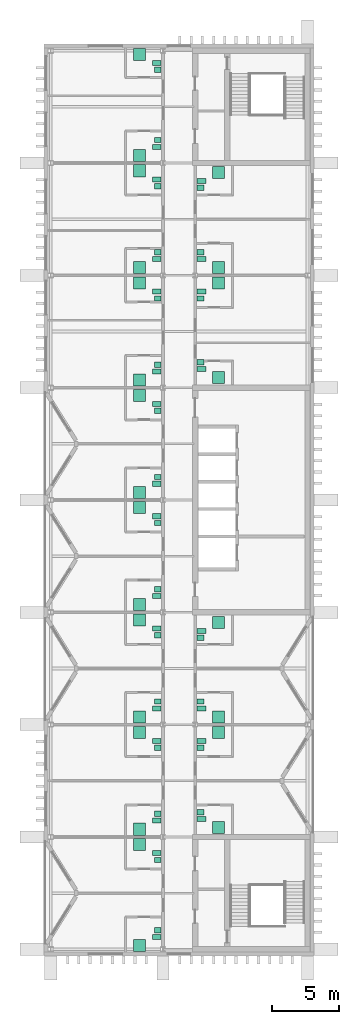
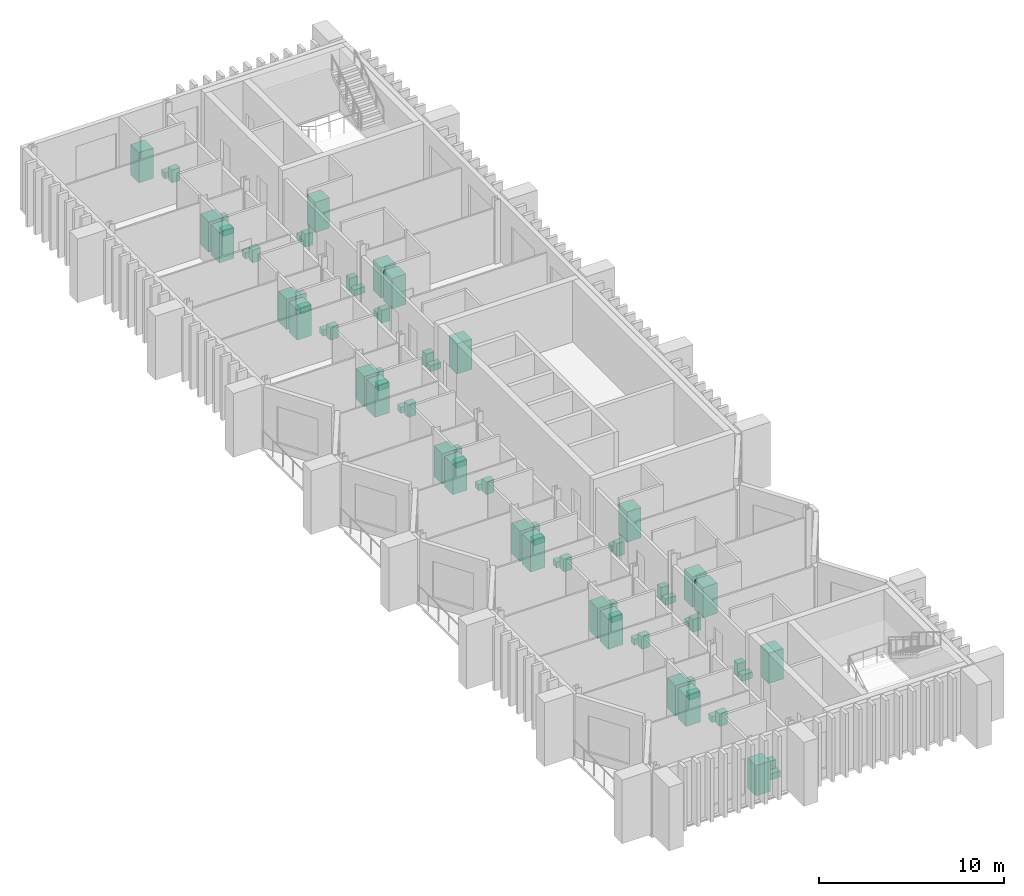
# One storey, part 11 of 11: 72 sanitary terminals.
"""IFC4 building model written with IfcOpenShell, lengths in metres."""

from ifc_helpers import new_model, si_unit, direction, frame, origin, origin_2d, place, context, subcontext, project, spatial, rectangle, extrude, material, type_object, element, save


model = new_model("IFC4")

# Units and contexts
model_context = context("Model", 3, precision=1e-05, world=origin(), true_north=direction((0.0, 1.0)))
body_context = subcontext(model_context, "Body", "Model", "MODEL_VIEW")
ifc_project = project(units=[si_unit("LENGTHUNIT", "METRE"), si_unit("AREAUNIT", "SQUARE_METRE"), si_unit("VOLUMEUNIT", "CUBIC_METRE"), si_unit("PLANEANGLEUNIT", "RADIAN"), si_unit("MASSUNIT", "GRAM", prefix="KILO")], contexts=[model_context])

# Site, building, storey
site_placement = place(None, origin())
site = spatial("IfcSite", under=ifc_project, at=site_placement, CompositionType="ELEMENT")
building_placement = place(site_placement, origin())
building = spatial("IfcBuilding", under=site, at=building_placement, Name="Cresset Court Congress Hotel", CompositionType="ELEMENT")
storey_placement = place(building_placement, frame((0.0, 0.0, 48.0)))
storey = spatial("IfcBuildingStorey", under=building, at=storey_placement, Name="L11", CompositionType="ELEMENT", Elevation=48.0)

# Sanitary terminals
ifc_material_1 = material(Name="Acrylic")
sanitary_terminal_type_1 = type_object("IfcSanitaryTerminalType", Name="Shower enclosure 900x900", PredefinedType="SHOWER", material=ifc_material_1)
for number, where, z_axis, x_axis, name in (
    (1, (163.85009765625, 0.280029296875, 0.0), (0.0, 0.0, 1.0), (1.0, 0.0, 0.0), "Shower enclosure 900x900 1101"),
    (2, (163.85009765625, 7.824951171875, 0.0), (0.0, 0.0, 1.0), (1.0, 0.0, 0.0), "Shower enclosure 900x900 1102"),
    (3, (163.85009765625, 8.97509765625, 0.0), (0.0, 0.0, 1.0), (1.0, 0.0, 0.0), "Shower enclosure 900x900 1103"),
    (4, (163.85009765625, 16.22509765625, 0.0), (0.0, 0.0, 1.0), (1.0, 0.0, 0.0), "Shower enclosure 900x900 1104"),
    (5, (163.85009765625, 17.375, 0.0), (0.0, 0.0, 1.0), (1.0, 0.0, 0.0), "Shower enclosure 900x900 1105"),
    (6, (163.85009765625, 24.625, 0.0), (0.0, 0.0, 1.0), (1.0, 0.0, 0.0), "Shower enclosure 900x900 1106"),
    (7, (163.85009765625, 25.77490234375, 0.0), (0.0, 0.0, 1.0), (1.0, 0.0, 0.0), "Shower enclosure 900x900 1107"),
    (8, (163.85009765625, 33.02490234375, 0.0), (0.0, 0.0, 1.0), (1.0, 0.0, 0.0), "Shower enclosure 900x900 1108"),
    (9, (163.85009765625, 34.175048828125, 0.0), (0.0, 0.0, 1.0), (1.0, 0.0, 0.0), "Shower enclosure 900x900 1109"),
    (10, (163.85009765625, 41.425048828125, 0.0), (0.0, 0.0, 1.0), (1.0, 0.0, 0.0), "Shower enclosure 900x900 1110"),
    (11, (163.85009765625, 42.574951171875, 0.0), (0.0, 0.0, 1.0), (1.0, 0.0, 0.0), "Shower enclosure 900x900 1111"),
    (12, (163.85009765625, 49.824951171875, 0.0), (0.0, 0.0, 1.0), (1.0, 0.0, 0.0), "Shower enclosure 900x900 1112"),
    (13, (163.85009765625, 50.97509765625, 0.0), (0.0, 0.0, 1.0), (1.0, 0.0, 0.0), "Shower enclosure 900x900 1113"),
    (14, (163.85009765625, 58.22509765625, 0.0), (0.0, 0.0, 1.0), (1.0, 0.0, 0.0), "Shower enclosure 900x900 1114"),
    (15, (163.85009765625, 59.375, 0.0), (0.0, 0.0, 1.0), (1.0, 0.0, 0.0), "Shower enclosure 900x900 1115"),
    (16, (163.85009765625, 66.919921875, 0.0), (0.0, 0.0, 1.0), (1.0, 0.0, 0.0), "Shower enclosure 900x900 1116"),
    (17, (169.75, 9.10009765625, 0.0), (0.0, 0.0, 1.0), (1.0, 0.0, 0.0), "Shower enclosure 900x900 1117"),
    (18, (169.75, 16.22509765625, 0.0), (0.0, 0.0, 1.0), (1.0, 0.0, 0.0), "Shower enclosure 900x900 1118"),
    (19, (169.75, 17.375, 0.0), (0.0, 0.0, 1.0), (1.0, 0.0, 0.0), "Shower enclosure 900x900 1119"),
    (20, (169.75, 24.449951171875, 0.0), (0.0, 0.0, 1.0), (1.0, 0.0, 0.0), "Shower enclosure 900x900 1120"),
    (21, (169.75, 42.75, 0.0), (0.0, 0.0, 1.0), (1.0, 0.0, 0.0), "Shower enclosure 900x900 1121"),
    (22, (169.75, 49.824951171875, 0.0), (0.0, 0.0, 1.0), (1.0, 0.0, 0.0), "Shower enclosure 900x900 1122"),
    (23, (169.75, 50.97509765625, 0.0), (0.0, 0.0, 1.0), (1.0, 0.0, 0.0), "Shower enclosure 900x900 1123"),
    (24, (169.75, 58.10009765625, 0.0), (0.0, 0.0, 1.0), (1.0, 0.0, 0.0), "Shower enclosure 900x900 1124"),
):
    element("IfcSanitaryTerminal", number, at=place(storey_placement, frame(where, z_axis=z_axis, x_axis=x_axis)), inside=storey, type_object=sanitary_terminal_type_1, Name=name, PredefinedType="SHOWER", context=body_context, shape_type="SweptSolid", body=[
        extrude(rectangle(XDim=0.89990234375, YDim=0.89990234375, at=origin_2d()), origin(), (0.0, 0.0, 1.0), 2.0),
    ])
ifc_material_2 = material(Name="Vitreous china")
sanitary_terminal_type_2 = type_object("IfcSanitaryTerminalType", Name="Toilet pan 650x380", PredefinedType="TOILETPAN", material=ifc_material_2)
for number, where, z_axis, x_axis, name in (
    (25, (165.125, 0.919921875, 0.0), (0.0, 0.0, 1.0), (1.0, 0.0, 0.0), "Toilet pan 650x380 1101"),
    (26, (165.125, 7.18505859375, 0.0), (0.0, 0.0, 1.0), (1.0, 0.0, 0.0), "Toilet pan 650x380 1102"),
    (27, (165.125, 9.614990234375, 0.0), (0.0, 0.0, 1.0), (1.0, 0.0, 0.0), "Toilet pan 650x380 1103"),
    (28, (165.125, 15.5849609375, 0.0), (0.0, 0.0, 1.0), (1.0, 0.0, 0.0), "Toilet pan 650x380 1104"),
    (29, (165.125, 18.014892578125, 0.0), (0.0, 0.0, 1.0), (1.0, 0.0, 0.0), "Toilet pan 650x380 1105"),
    (30, (165.125, 23.985107421875, 0.0), (0.0, 0.0, 1.0), (1.0, 0.0, 0.0), "Toilet pan 650x380 1106"),
    (31, (165.125, 26.4150390625, 0.0), (0.0, 0.0, 1.0), (1.0, 0.0, 0.0), "Toilet pan 650x380 1107"),
    (32, (165.125, 32.385009765625, 0.0), (0.0, 0.0, 1.0), (1.0, 0.0, 0.0), "Toilet pan 650x380 1108"),
    (33, (165.125, 34.81494140625, 0.0), (0.0, 0.0, 1.0), (1.0, 0.0, 0.0), "Toilet pan 650x380 1109"),
    (34, (165.125, 40.784912109375, 0.0), (0.0, 0.0, 1.0), (1.0, 0.0, 0.0), "Toilet pan 650x380 1110"),
    (35, (165.125, 43.215087890625, 0.0), (0.0, 0.0, 1.0), (1.0, 0.0, 0.0), "Toilet pan 650x380 1111"),
    (36, (165.125, 49.18505859375, 0.0), (0.0, 0.0, 1.0), (1.0, 0.0, 0.0), "Toilet pan 650x380 1112"),
    (37, (165.125, 51.614990234375, 0.0), (0.0, 0.0, 1.0), (1.0, 0.0, 0.0), "Toilet pan 650x380 1113"),
    (38, (165.125, 57.5849609375, 0.0), (0.0, 0.0, 1.0), (1.0, 0.0, 0.0), "Toilet pan 650x380 1114"),
    (39, (165.125, 60.014892578125, 0.0), (0.0, 0.0, 1.0), (1.0, 0.0, 0.0), "Toilet pan 650x380 1115"),
    (40, (165.125, 66.280029296875, 0.0), (0.0, 0.0, 1.0), (1.0, 0.0, 0.0), "Toilet pan 650x380 1116"),
    (41, (168.47509765625, 9.739990234375, 0.0), (0.0, 0.0, 1.0), (1.0, 0.0, 0.0), "Toilet pan 650x380 1117"),
    (42, (168.47509765625, 15.5849609375, 0.0), (0.0, 0.0, 1.0), (1.0, 0.0, 0.0), "Toilet pan 650x380 1118"),
    (43, (168.47509765625, 18.014892578125, 0.0), (0.0, 0.0, 1.0), (1.0, 0.0, 0.0), "Toilet pan 650x380 1119"),
    (44, (168.47509765625, 23.81005859375, 0.0), (0.0, 0.0, 1.0), (1.0, 0.0, 0.0), "Toilet pan 650x380 1120"),
    (45, (168.47509765625, 43.389892578125, 0.0), (0.0, 0.0, 1.0), (1.0, 0.0, 0.0), "Toilet pan 650x380 1121"),
    (46, (168.47509765625, 49.18505859375, 0.0), (0.0, 0.0, 1.0), (1.0, 0.0, 0.0), "Toilet pan 650x380 1122"),
    (47, (168.47509765625, 51.614990234375, 0.0), (0.0, 0.0, 1.0), (1.0, 0.0, 0.0), "Toilet pan 650x380 1123"),
    (48, (168.47509765625, 57.4599609375, 0.0), (0.0, 0.0, 1.0), (1.0, 0.0, 0.0), "Toilet pan 650x380 1124"),
):
    element("IfcSanitaryTerminal", number, at=place(storey_placement, frame(where, z_axis=z_axis, x_axis=x_axis)), inside=storey, type_object=sanitary_terminal_type_2, Name=name, PredefinedType="TOILETPAN", context=body_context, shape_type="SweptSolid", body=[
        extrude(rectangle(XDim=0.64990234375, YDim=0.3798828125, at=origin_2d()), origin(), (0.0, 0.0, 1.0), 0.39990234375),
    ])
ifc_material_3 = material(Name="Vitreous china")
sanitary_terminal_type_3 = type_object("IfcSanitaryTerminalType", Name="Wash basin 500x400", PredefinedType="WASHHANDBASIN", material=ifc_material_3)
for number, where, z_axis, x_axis, name in (
    (49, (165.199951171875, 1.429931640625, 0.0), (0.0, 0.0, 1.0), (1.0, 0.0, 0.0), "Wash basin 500x400 1101"),
    (50, (165.199951171875, 6.675048828125, 0.0), (0.0, 0.0, 1.0), (1.0, 0.0, 0.0), "Wash basin 500x400 1102"),
    (51, (165.199951171875, 10.125, 0.0), (0.0, 0.0, 1.0), (1.0, 0.0, 0.0), "Wash basin 500x400 1103"),
    (52, (165.199951171875, 15.074951171875, 0.0), (0.0, 0.0, 1.0), (1.0, 0.0, 0.0), "Wash basin 500x400 1104"),
    (53, (165.199951171875, 18.52490234375, 0.0), (0.0, 0.0, 1.0), (1.0, 0.0, 0.0), "Wash basin 500x400 1105"),
    (54, (165.199951171875, 23.47509765625, 0.0), (0.0, 0.0, 1.0), (1.0, 0.0, 0.0), "Wash basin 500x400 1106"),
    (55, (165.199951171875, 26.925048828125, 0.0), (0.0, 0.0, 1.0), (1.0, 0.0, 0.0), "Wash basin 500x400 1107"),
    (56, (165.199951171875, 31.875, 0.0), (0.0, 0.0, 1.0), (1.0, 0.0, 0.0), "Wash basin 500x400 1108"),
    (57, (165.199951171875, 35.324951171875, 0.0), (0.0, 0.0, 1.0), (1.0, 0.0, 0.0), "Wash basin 500x400 1109"),
    (58, (165.199951171875, 40.27490234375, 0.0), (0.0, 0.0, 1.0), (1.0, 0.0, 0.0), "Wash basin 500x400 1110"),
    (59, (165.199951171875, 43.72509765625, 0.0), (0.0, 0.0, 1.0), (1.0, 0.0, 0.0), "Wash basin 500x400 1111"),
    (60, (165.199951171875, 48.675048828125, 0.0), (0.0, 0.0, 1.0), (1.0, 0.0, 0.0), "Wash basin 500x400 1112"),
    (61, (165.199951171875, 52.125, 0.0), (0.0, 0.0, 1.0), (1.0, 0.0, 0.0), "Wash basin 500x400 1113"),
    (62, (165.199951171875, 57.074951171875, 0.0), (0.0, 0.0, 1.0), (1.0, 0.0, 0.0), "Wash basin 500x400 1114"),
    (63, (165.199951171875, 60.52490234375, 0.0), (0.0, 0.0, 1.0), (1.0, 0.0, 0.0), "Wash basin 500x400 1115"),
    (64, (165.199951171875, 65.77001953125, 0.0), (0.0, 0.0, 1.0), (1.0, 0.0, 0.0), "Wash basin 500x400 1116"),
    (65, (168.39990234375, 10.25, 0.0), (0.0, 0.0, 1.0), (1.0, 0.0, 0.0), "Wash basin 500x400 1117"),
    (66, (168.39990234375, 15.074951171875, 0.0), (0.0, 0.0, 1.0), (1.0, 0.0, 0.0), "Wash basin 500x400 1118"),
    (67, (168.39990234375, 18.52490234375, 0.0), (0.0, 0.0, 1.0), (1.0, 0.0, 0.0), "Wash basin 500x400 1119"),
    (68, (168.39990234375, 23.300048828125, 0.0), (0.0, 0.0, 1.0), (1.0, 0.0, 0.0), "Wash basin 500x400 1120"),
    (69, (168.39990234375, 43.89990234375, 0.0), (0.0, 0.0, 1.0), (1.0, 0.0, 0.0), "Wash basin 500x400 1121"),
    (70, (168.39990234375, 48.675048828125, 0.0), (0.0, 0.0, 1.0), (1.0, 0.0, 0.0), "Wash basin 500x400 1122"),
    (71, (168.39990234375, 52.125, 0.0), (0.0, 0.0, 1.0), (1.0, 0.0, 0.0), "Wash basin 500x400 1123"),
    (72, (168.39990234375, 56.949951171875, 0.0), (0.0, 0.0, 1.0), (1.0, 0.0, 0.0), "Wash basin 500x400 1124"),
):
    element("IfcSanitaryTerminal", number, at=place(storey_placement, frame(where, z_axis=z_axis, x_axis=x_axis)), inside=storey, type_object=sanitary_terminal_type_3, Name=name, PredefinedType="WASHHANDBASIN", context=body_context, shape_type="SweptSolid", body=[
        extrude(rectangle(XDim=0.5, YDim=0.39990234375, at=origin_2d()), origin(), (0.0, 0.0, 1.0), 0.85009765625),
    ])

save(model, "model.ifc")
